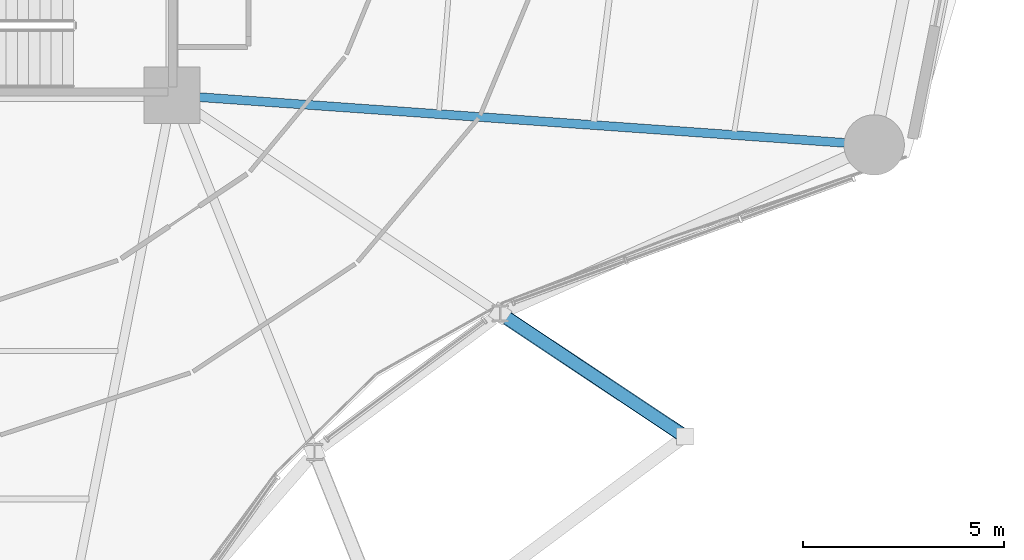
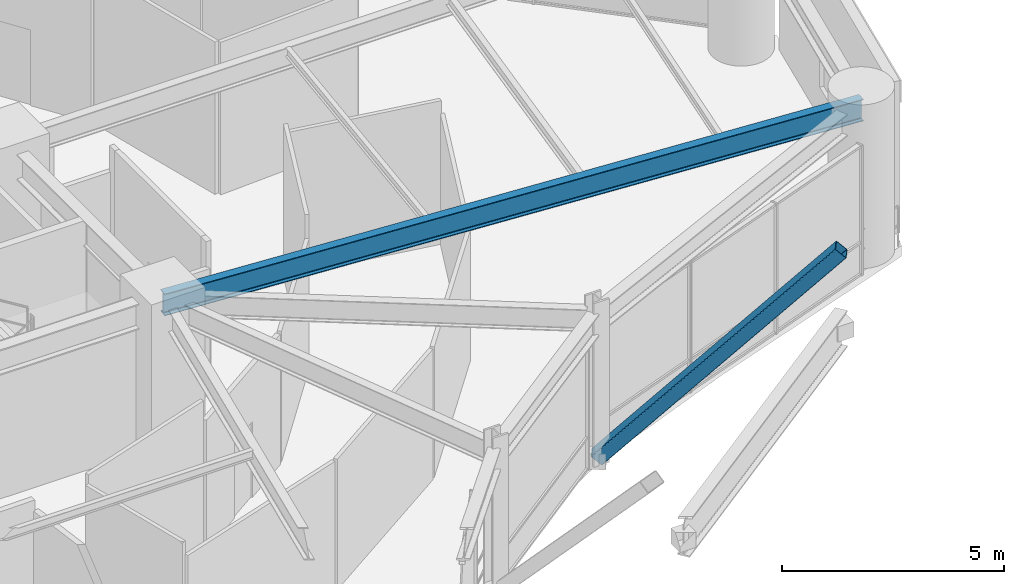
# One storey, part 23 of 55: 1 beam, 1 member.
"""IFC4 building model written with IfcOpenShell, lengths in metres."""

import ifcopenshell
import ifcopenshell.guid

model = None  # the IFC model being written
_history = None  # IfcOwnerHistory: only IFC2X3 demands one
_inside = {}  # id of a spatial element -> (the spatial element, [elements in it])
_under = {}  # id of a project, library or spatial element -> (it, [spatial elements below it])
_declared = {}  # id of a project -> (the project, [libraries it declares])
_typed = {}  # id of a type object -> (the type object, [elements of that type])
_made_of = {}  # id of a material, layer set ... -> (it, [elements and type objects made of it])


def new_model(schema):
    """Start an empty IFC model of exactly this schema.

    Asked for "IFC4X3", IfcOpenShell would pick the latest addendum, in which some entities
    have other attributes; the version numbers below select the first issue.
    IFC2X3 requires an IfcOwnerHistory on every rooted entity: one is made here for all.
    """
    global model, _history
    if schema == "IFC4X3":
        model = ifcopenshell.file(schema_version=(4, 3, 0, 0))
    else:
        model = ifcopenshell.file(schema=schema)
    _inside.clear()
    _under.clear()
    _declared.clear()
    _typed.clear()
    _made_of.clear()
    _history = None
    if model.schema == "IFC2X3":
        org = make("IfcOrganization", Name="unknown")
        user = make(
            "IfcPersonAndOrganization",
            ThePerson=make("IfcPerson", FamilyName="unknown"),
            TheOrganization=org,
        )
        app = make(
            "IfcApplication",
            ApplicationDeveloper=org,
            Version="unknown",
            ApplicationFullName="unknown",
            ApplicationIdentifier="unknown",
        )
        _history = make(
            "IfcOwnerHistory",
            OwningUser=user,
            OwningApplication=app,
            ChangeAction="ADDED",
            CreationDate=0,
        )
    return model


def make(cls, **values):
    """One entity of the class cls with the attributes given. An attribute that is None is left unset."""
    return model.create_entity(
        cls, **{name: value for name, value in values.items() if value is not None}
    )


def rooted(cls, **values):
    """An entity with a GlobalId (a new one), such as an element, a storey or a relation."""
    return make(cls, GlobalId=ifcopenshell.guid.new(), OwnerHistory=_history, **values)


def si_unit(unit_type, name, prefix=None):
    """IfcSIUnit, for example si_unit("LENGTHUNIT", "METRE", prefix="MILLI")."""
    return make("IfcSIUnit", UnitType=unit_type, Prefix=prefix, Name=name)


def assignment(units):
    """IfcUnitAssignment: the units of a project."""
    return None if units is None else make("IfcUnitAssignment", Units=units)


def point(xyz):
    """IfcCartesianPoint."""
    return None if xyz is None else make("IfcCartesianPoint", Coordinates=xyz)


def direction(xyz):
    """IfcDirection."""
    return None if xyz is None else make("IfcDirection", DirectionRatios=xyz)


def frame(location, z_axis=None, x_axis=None):
    """IfcAxis2Placement3D, a coordinate frame: its origin and axes. An axis left out is left unset."""
    return make(
        "IfcAxis2Placement3D",
        Location=point(location),
        Axis=direction(z_axis),
        RefDirection=direction(x_axis),
    )


def frame_2d(location, x_axis=None):
    """IfcAxis2Placement2D, a coordinate frame in the plane: its origin and x axis."""
    return make(
        "IfcAxis2Placement2D", Location=point(location), RefDirection=direction(x_axis)
    )


def origin():
    """The frame at (0, 0, 0) with its axes left unset."""
    return frame((0.0, 0.0, 0.0))


def origin_2d():
    """The frame at (0, 0) in the plane with its x axis left unset."""
    return frame_2d((0.0, 0.0))


def place(relative_to, where):
    """IfcLocalPlacement: puts the frame where relative to a parent placement (None: the world)."""
    return make(
        "IfcLocalPlacement", PlacementRelTo=relative_to, RelativePlacement=where
    )


def context(
    kind, dimensions, precision=None, world=None, true_north=None, identifier=None
):
    """IfcGeometricRepresentationContext, for example the 3D "Model" context."""
    return make(
        "IfcGeometricRepresentationContext",
        ContextIdentifier=identifier,
        ContextType=kind,
        CoordinateSpaceDimension=dimensions,
        Precision=precision,
        WorldCoordinateSystem=world,
        TrueNorth=true_north,
    )


def subcontext(parent, identifier, kind, view, scale=None):
    """IfcGeometricRepresentationSubContext, for example "Body" below "Model"."""
    return make(
        "IfcGeometricRepresentationSubContext",
        ContextIdentifier=identifier,
        ContextType=kind,
        ParentContext=parent,
        TargetScale=scale,
        TargetView=view,
    )


def project(units=None, contexts=None):
    """IfcProject with its units and contexts."""
    return rooted(
        "IfcProject",
        Name="project",
        RepresentationContexts=contexts,
        UnitsInContext=assignment(units),
    )


def spatial(cls, under=None, at=None, **own):
    """A site, building, storey or space (cls), placed at a placement, below another one or the project."""
    s = rooted(cls, ObjectPlacement=at, **own)
    if under is not None:
        _under.setdefault(under.id(), (under, []))[1].append(s)
    return s


def profile(cls, at=None, kind="AREA", **sizes):
    """A parametric profile (cls). Its sizes go by their IFC names, for example OverallWidth=200.0."""
    return make(cls, ProfileType=kind, Position=at, **sizes)


def hollow_rectangle(**sizes):
    """IfcRectangleHollowProfileDef."""
    return profile("IfcRectangleHollowProfileDef", **sizes)


def i_section(**sizes):
    """IfcIShapeProfileDef."""
    return profile("IfcIShapeProfileDef", **sizes)


def extrude(swept, where, along, depth):
    """IfcExtrudedAreaSolid: the profile swept, set in the frame where, extruded along a direction by depth."""
    return make(
        "IfcExtrudedAreaSolid",
        SweptArea=swept,
        Position=where,
        ExtrudedDirection=direction(along),
        Depth=depth,
    )


def shape(context_of_items, identifier, shape_type, items):
    """IfcShapeRepresentation: the items that make up one representation, for example the "Body"."""
    return make(
        "IfcShapeRepresentation",
        ContextOfItems=context_of_items,
        RepresentationIdentifier=identifier,
        RepresentationType=shape_type,
        Items=items,
    )


def material(Name=None, Category=None):
    """IfcMaterial."""
    return make("IfcMaterial", Name=Name, Category=Category)


def material_profile(
    of_material, cross_section, Name=None, Category=None, Priority=None
):
    """IfcMaterialProfile: a cross section and its material."""
    return make(
        "IfcMaterialProfile",
        Name=Name,
        Material=of_material,
        Profile=cross_section,
        Priority=Priority,
        Category=Category,
    )


def profile_set(profiles, Name=None, composite=None):
    """IfcMaterialProfileSet."""
    return make(
        "IfcMaterialProfileSet",
        Name=Name,
        MaterialProfiles=profiles,
        CompositeProfile=composite,
    )


def made_of(thing, what):
    """Note that an element or type object is made of a material, layer set ...; save() writes the relation."""
    if what is not None:
        _made_of.setdefault(what.id(), (what, []))[1].append(thing)
    return thing


def type_object(cls, material=None, **own):
    """A type object (cls), such as IfcWallType, which elements share."""
    return made_of(rooted(cls, **own), material)


def element(
    cls,
    number,
    at=None,
    inside=None,
    cuts=None,
    type_object=None,
    material=None,
    context=None,
    identifier="Body",
    shape_type=None,
    held_by="IfcProductDefinitionShape",
    body=None,
    shapes=None,
    **own,
):
    """One element of the class cls, such as IfcWall. Its Tag is "e" and its number.

    at: its placement. inside: the storey or other place that contains it. cuts: it is an
    opening in that element (IfcRelVoidsElement). A single representation is given by context,
    identifier, shape_type and body (its items); several are given by shapes. held_by: the class
    of the entity that holds the representations. save() writes the other relations.
    """
    e = rooted(cls, Tag="e%d" % number, ObjectPlacement=at, **own)
    if body is not None:
        shapes = [shape(context, identifier, shape_type, body)]
    if shapes is not None:
        e.Representation = make(held_by, Representations=shapes)
    if inside is not None:
        _inside.setdefault(inside.id(), (inside, []))[1].append(e)
    if cuts is not None:
        rooted(
            "IfcRelVoidsElement", RelatingBuildingElement=cuts, RelatedOpeningElement=e
        )
    if type_object is not None:
        _typed.setdefault(type_object.id(), (type_object, []))[1].append(e)
    return made_of(e, material)


def aggregate(whole, parts):
    """IfcRelAggregates: a whole, such as a stair, and the parts it consists of."""
    return rooted("IfcRelAggregates", RelatingObject=whole, RelatedObjects=parts)


def save(model, path):
    """Write the relations noted so far, then the file.

    IfcRelAggregates (storeys below a building ...), IfcRelContainedInSpatialStructure (elements
    in a storey), IfcRelDefinesByType, IfcRelAssociatesMaterial and IfcRelDeclares: one each for
    every whole, place, type object, material and project.
    """
    for whole, parts in _under.values():
        aggregate(whole, parts)
    for where, things in _inside.values():
        rooted(
            "IfcRelContainedInSpatialStructure",
            RelatedElements=things,
            RelatingStructure=where,
        )
    for kind, things in _typed.values():
        rooted("IfcRelDefinesByType", RelatedObjects=things, RelatingType=kind)
    for what, things in _made_of.values():
        rooted("IfcRelAssociatesMaterial", RelatedObjects=things, RelatingMaterial=what)
    for by, libraries in _declared.values():
        rooted("IfcRelDeclares", RelatingContext=by, RelatedDefinitions=libraries)
    model.write(path)


model = new_model("IFC4")

# Units and contexts
model_context = context("Model", 3, precision=1e-05, world=origin(), true_north=direction((0.0, 1.0)))
body_context = subcontext(model_context, "Body", "Model", "MODEL_VIEW")
ifc_project = project(units=[si_unit("LENGTHUNIT", "METRE"), si_unit("AREAUNIT", "SQUARE_METRE"), si_unit("VOLUMEUNIT", "CUBIC_METRE"), si_unit("PLANEANGLEUNIT", "RADIAN"), si_unit("MASSUNIT", "GRAM", prefix="KILO")], contexts=[model_context])

# Site, building, storey
site_placement = place(None, origin())
site = spatial("IfcSite", under=ifc_project, at=site_placement, CompositionType="ELEMENT")
building_placement = place(site_placement, origin())
building = spatial("IfcBuilding", under=site, at=building_placement, Name="Kelanora Arch Commons", CompositionType="ELEMENT")
storey_placement = place(building_placement, frame((0.0, 0.0, 4.5)))
storey = spatial("IfcBuildingStorey", under=building, at=storey_placement, Name="L01", CompositionType="ELEMENT", Elevation=4.5)

# Beam
ifc_material = material(Name="Steel S355", Category="steel")
ifc_material_profile_1 = material_profile(ifc_material, i_section(OverallWidth=0.219970703125, OverallDepth=0.60009765625, WebThickness=0.011962890625, FlangeThickness=0.01904296875, FilletRadius=0.02392578125, at=origin_2d()), Name="IPE600")
ifc_profile_set_1 = profile_set([ifc_material_profile_1], Name="Steel S355")
beam_type = type_object("IfcBeamType", Name="BM-RAD-Z1", PredefinedType="BEAM", material=ifc_profile_set_1)
beam_placement = place(storey_placement, frame((82.0, 51.0, 3.89990234375), z_axis=(0.997500683472, -0.070656821848, 0.0), x_axis=(0.070656821848, 0.997500683472, 0.0)))
element("IfcBeam", 1, at=beam_placement, inside=storey, type_object=beam_type, Name="Radial Floor Girder BR-34 L01", PredefinedType="BEAM", context=body_context, shape_type="SweptSolid", body=[
    extrude(i_section(OverallWidth=0.219970703125, OverallDepth=0.60009765625, WebThickness=0.011962890625, FlangeThickness=0.01904296875, FilletRadius=0.02392578125, at=origin_2d()), origin(), (0.0, 0.0, 1.0), 17.49072265625),
])

# Member
ifc_material_profile_2 = material_profile(ifc_material, hollow_rectangle(XDim=0.35009765625, YDim=0.35009765625, WallThickness=0.01611328125, InnerFilletRadius=0.01611328125, OuterFilletRadius=0.031982421875, at=origin_2d()), Name="SHS350x350x16")
ifc_profile_set_2 = profile_set([ifc_material_profile_2], Name="Steel S355")
member_type = type_object("IfcMemberType", Name="MEM-BELT-STRUT", PredefinedType="STRUT", material=ifc_profile_set_2)
member_placement = place(storey_placement, frame((90.156494140625, 45.573974609375, 0.10009765625), z_axis=(0.566242940323, -0.376711858233, 0.733114662519), x_axis=(0.553902449507, 0.832581573439, 0.0)))
element("IfcMember", 2, at=member_placement, inside=storey, type_object=member_type, Name="Courtyard Overhang Raking Strut 32", PredefinedType="STRUT", context=body_context, shape_type="SweptSolid", body=[
    extrude(hollow_rectangle(XDim=0.35009765625, YDim=0.35009765625, WallThickness=0.01611328125, InnerFilletRadius=0.01611328125, OuterFilletRadius=0.031982421875, at=origin_2d()), origin(), (0.0, 0.0, 1.0), 8.102294921875),
])

save(model, "model.ifc")
